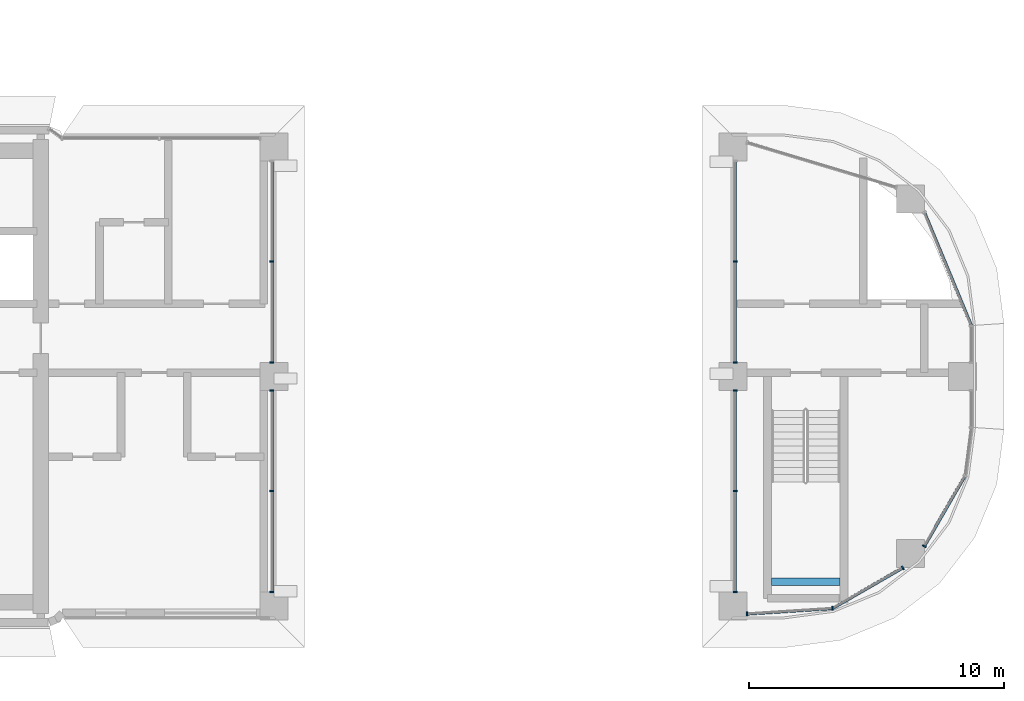
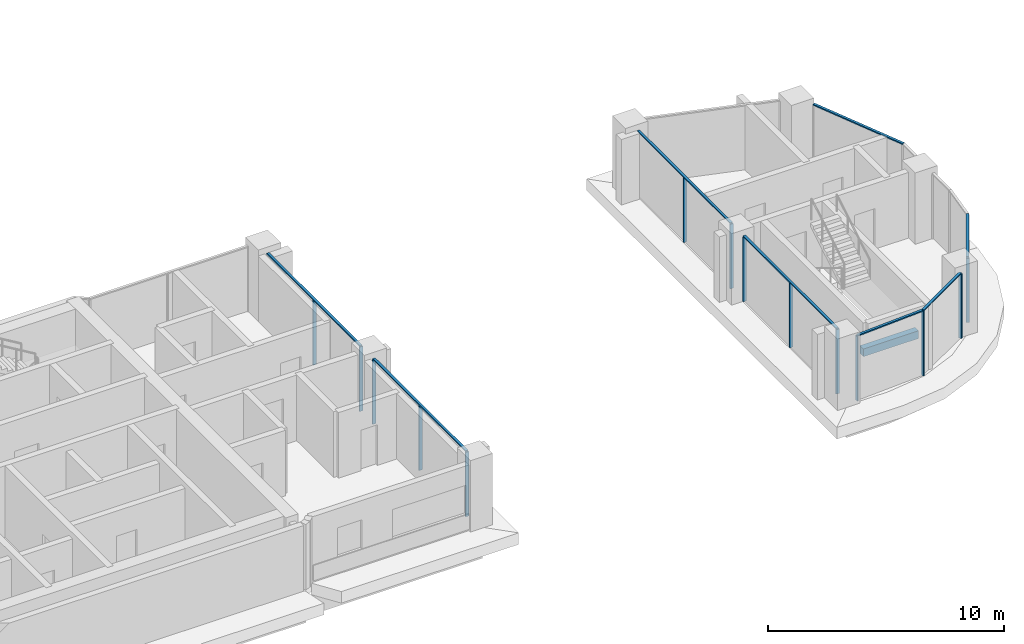
# One storey, part 3 of 24: 22 members, 1 beam, 7 elements without a shape of their own.
"""IFC4 building model written with IfcOpenShell, lengths in metres."""

import ifcopenshell
import ifcopenshell.guid

model = None  # the IFC model being written
_history = None  # IfcOwnerHistory: only IFC2X3 demands one
_inside = {}  # id of a spatial element -> (the spatial element, [elements in it])
_under = {}  # id of a project, library or spatial element -> (it, [spatial elements below it])
_declared = {}  # id of a project -> (the project, [libraries it declares])
_typed = {}  # id of a type object -> (the type object, [elements of that type])
_made_of = {}  # id of a material, layer set ... -> (it, [elements and type objects made of it])


def new_model(schema):
    """Start an empty IFC model of exactly this schema.

    Asked for "IFC4X3", IfcOpenShell would pick the latest addendum, in which some entities
    have other attributes; the version numbers below select the first issue.
    IFC2X3 requires an IfcOwnerHistory on every rooted entity: one is made here for all.
    """
    global model, _history
    if schema == "IFC4X3":
        model = ifcopenshell.file(schema_version=(4, 3, 0, 0))
    else:
        model = ifcopenshell.file(schema=schema)
    _inside.clear()
    _under.clear()
    _declared.clear()
    _typed.clear()
    _made_of.clear()
    _history = None
    if model.schema == "IFC2X3":
        org = make("IfcOrganization", Name="unknown")
        user = make(
            "IfcPersonAndOrganization",
            ThePerson=make("IfcPerson", FamilyName="unknown"),
            TheOrganization=org,
        )
        app = make(
            "IfcApplication",
            ApplicationDeveloper=org,
            Version="unknown",
            ApplicationFullName="unknown",
            ApplicationIdentifier="unknown",
        )
        _history = make(
            "IfcOwnerHistory",
            OwningUser=user,
            OwningApplication=app,
            ChangeAction="ADDED",
            CreationDate=0,
        )
    return model


def make(cls, **values):
    """One entity of the class cls with the attributes given. An attribute that is None is left unset."""
    return model.create_entity(
        cls, **{name: value for name, value in values.items() if value is not None}
    )


def rooted(cls, **values):
    """An entity with a GlobalId (a new one), such as an element, a storey or a relation."""
    return make(cls, GlobalId=ifcopenshell.guid.new(), OwnerHistory=_history, **values)


def si_unit(unit_type, name, prefix=None):
    """IfcSIUnit, for example si_unit("LENGTHUNIT", "METRE", prefix="MILLI")."""
    return make("IfcSIUnit", UnitType=unit_type, Prefix=prefix, Name=name)


def assignment(units):
    """IfcUnitAssignment: the units of a project."""
    return None if units is None else make("IfcUnitAssignment", Units=units)


def point(xyz):
    """IfcCartesianPoint."""
    return None if xyz is None else make("IfcCartesianPoint", Coordinates=xyz)


def direction(xyz):
    """IfcDirection."""
    return None if xyz is None else make("IfcDirection", DirectionRatios=xyz)


def frame(location, z_axis=None, x_axis=None):
    """IfcAxis2Placement3D, a coordinate frame: its origin and axes. An axis left out is left unset."""
    return make(
        "IfcAxis2Placement3D",
        Location=point(location),
        Axis=direction(z_axis),
        RefDirection=direction(x_axis),
    )


def frame_2d(location, x_axis=None):
    """IfcAxis2Placement2D, a coordinate frame in the plane: its origin and x axis."""
    return make(
        "IfcAxis2Placement2D", Location=point(location), RefDirection=direction(x_axis)
    )


def origin():
    """The frame at (0, 0, 0) with its axes left unset."""
    return frame((0.0, 0.0, 0.0))


def origin_2d():
    """The frame at (0, 0) in the plane with its x axis left unset."""
    return frame_2d((0.0, 0.0))


def place(relative_to, where):
    """IfcLocalPlacement: puts the frame where relative to a parent placement (None: the world)."""
    return make(
        "IfcLocalPlacement", PlacementRelTo=relative_to, RelativePlacement=where
    )


def context(
    kind, dimensions, precision=None, world=None, true_north=None, identifier=None
):
    """IfcGeometricRepresentationContext, for example the 3D "Model" context."""
    return make(
        "IfcGeometricRepresentationContext",
        ContextIdentifier=identifier,
        ContextType=kind,
        CoordinateSpaceDimension=dimensions,
        Precision=precision,
        WorldCoordinateSystem=world,
        TrueNorth=true_north,
    )


def subcontext(parent, identifier, kind, view, scale=None):
    """IfcGeometricRepresentationSubContext, for example "Body" below "Model"."""
    return make(
        "IfcGeometricRepresentationSubContext",
        ContextIdentifier=identifier,
        ContextType=kind,
        ParentContext=parent,
        TargetScale=scale,
        TargetView=view,
    )


def project(units=None, contexts=None):
    """IfcProject with its units and contexts."""
    return rooted(
        "IfcProject",
        Name="project",
        RepresentationContexts=contexts,
        UnitsInContext=assignment(units),
    )


def spatial(cls, under=None, at=None, **own):
    """A site, building, storey or space (cls), placed at a placement, below another one or the project."""
    s = rooted(cls, ObjectPlacement=at, **own)
    if under is not None:
        _under.setdefault(under.id(), (under, []))[1].append(s)
    return s


def profile(cls, at=None, kind="AREA", **sizes):
    """A parametric profile (cls). Its sizes go by their IFC names, for example OverallWidth=200.0."""
    return make(cls, ProfileType=kind, Position=at, **sizes)


def rectangle(**sizes):
    """IfcRectangleProfileDef."""
    return profile("IfcRectangleProfileDef", **sizes)


def extrude(swept, where, along, depth):
    """IfcExtrudedAreaSolid: the profile swept, set in the frame where, extruded along a direction by depth."""
    return make(
        "IfcExtrudedAreaSolid",
        SweptArea=swept,
        Position=where,
        ExtrudedDirection=direction(along),
        Depth=depth,
    )


def shape(context_of_items, identifier, shape_type, items):
    """IfcShapeRepresentation: the items that make up one representation, for example the "Body"."""
    return make(
        "IfcShapeRepresentation",
        ContextOfItems=context_of_items,
        RepresentationIdentifier=identifier,
        RepresentationType=shape_type,
        Items=items,
    )


def material(Name=None, Category=None):
    """IfcMaterial."""
    return make("IfcMaterial", Name=Name, Category=Category)


def material_profile(
    of_material, cross_section, Name=None, Category=None, Priority=None
):
    """IfcMaterialProfile: a cross section and its material."""
    return make(
        "IfcMaterialProfile",
        Name=Name,
        Material=of_material,
        Profile=cross_section,
        Priority=Priority,
        Category=Category,
    )


def profile_set(profiles, Name=None, composite=None):
    """IfcMaterialProfileSet."""
    return make(
        "IfcMaterialProfileSet",
        Name=Name,
        MaterialProfiles=profiles,
        CompositeProfile=composite,
    )


def made_of(thing, what):
    """Note that an element or type object is made of a material, layer set ...; save() writes the relation."""
    if what is not None:
        _made_of.setdefault(what.id(), (what, []))[1].append(thing)
    return thing


def type_object(cls, material=None, **own):
    """A type object (cls), such as IfcWallType, which elements share."""
    return made_of(rooted(cls, **own), material)


def element(
    cls,
    number,
    at=None,
    inside=None,
    cuts=None,
    type_object=None,
    material=None,
    context=None,
    identifier="Body",
    shape_type=None,
    held_by="IfcProductDefinitionShape",
    body=None,
    shapes=None,
    **own,
):
    """One element of the class cls, such as IfcWall. Its Tag is "e" and its number.

    at: its placement. inside: the storey or other place that contains it. cuts: it is an
    opening in that element (IfcRelVoidsElement). A single representation is given by context,
    identifier, shape_type and body (its items); several are given by shapes. held_by: the class
    of the entity that holds the representations. save() writes the other relations.
    """
    e = rooted(cls, Tag="e%d" % number, ObjectPlacement=at, **own)
    if body is not None:
        shapes = [shape(context, identifier, shape_type, body)]
    if shapes is not None:
        e.Representation = make(held_by, Representations=shapes)
    if inside is not None:
        _inside.setdefault(inside.id(), (inside, []))[1].append(e)
    if cuts is not None:
        rooted(
            "IfcRelVoidsElement", RelatingBuildingElement=cuts, RelatedOpeningElement=e
        )
    if type_object is not None:
        _typed.setdefault(type_object.id(), (type_object, []))[1].append(e)
    return made_of(e, material)


def aggregate(whole, parts):
    """IfcRelAggregates: a whole, such as a stair, and the parts it consists of."""
    return rooted("IfcRelAggregates", RelatingObject=whole, RelatedObjects=parts)


def save(model, path):
    """Write the relations noted so far, then the file.

    IfcRelAggregates (storeys below a building ...), IfcRelContainedInSpatialStructure (elements
    in a storey), IfcRelDefinesByType, IfcRelAssociatesMaterial and IfcRelDeclares: one each for
    every whole, place, type object, material and project.
    """
    for whole, parts in _under.values():
        aggregate(whole, parts)
    for where, things in _inside.values():
        rooted(
            "IfcRelContainedInSpatialStructure",
            RelatedElements=things,
            RelatingStructure=where,
        )
    for kind, things in _typed.values():
        rooted("IfcRelDefinesByType", RelatedObjects=things, RelatingType=kind)
    for what, things in _made_of.values():
        rooted("IfcRelAssociatesMaterial", RelatedObjects=things, RelatingMaterial=what)
    for by, libraries in _declared.values():
        rooted("IfcRelDeclares", RelatingContext=by, RelatedDefinitions=libraries)
    model.write(path)


model = new_model("IFC4")

# Units and contexts
model_context = context("Model", 3, precision=1e-05, world=origin(), true_north=direction((0.0, 1.0)))
body_context = subcontext(model_context, "Body", "Model", "MODEL_VIEW")
ifc_project = project(units=[si_unit("LENGTHUNIT", "METRE"), si_unit("AREAUNIT", "SQUARE_METRE"), si_unit("VOLUMEUNIT", "CUBIC_METRE"), si_unit("PLANEANGLEUNIT", "RADIAN"), si_unit("MASSUNIT", "GRAM", prefix="KILO")], contexts=[model_context])

# Site, building, storey
site_placement = place(None, origin())
site = spatial("IfcSite", under=ifc_project, at=site_placement, CompositionType="ELEMENT")
building_placement = place(site_placement, origin())
building = spatial("IfcBuilding", under=site, at=building_placement, Name="Ogive Portal Towers", CompositionType="ELEMENT")
storey_placement = place(building_placement, frame((0.0, 0.0, 153.300048828125)))
storey = spatial("IfcBuildingStorey", under=building, at=storey_placement, Name="L37", CompositionType="ELEMENT", Elevation=153.300048828125)

# Beam
ifc_material_1 = material(Name="Concrete C40/50", Category="concrete")
ifc_material_profile_1 = material_profile(ifc_material_1, rectangle(XDim=0.300048828125, YDim=0.39990234375, at=origin_2d()), Name="RC 300x400")
ifc_profile_set_1 = profile_set([ifc_material_profile_1], Name="Concrete C40/50")
beam_type = type_object("IfcBeamType", Name="BEAM RC 300x400", PredefinedType="BEAM", material=ifc_profile_set_1)
beam_placement = place(storey_placement, frame((87.0, 22.449951171875, 1.449951171875), z_axis=(1.0, 0.0, 0.0), x_axis=(0.0, 1.0, 0.0)))
element("IfcBeam", 1, at=beam_placement, inside=storey, type_object=beam_type, Name="Landing beam L37", PredefinedType="BEAM", context=body_context, shape_type="SweptSolid", body=[
    extrude(rectangle(XDim=0.300048828125, YDim=0.39990234375, at=origin_2d()), origin(), (0.0, 0.0, 1.0), 2.699951171875),
])

# Curtain wall, members
ifc_material_2 = material(Name="Glass, clear low-iron insulated glazing", Category="glass")
curtain_wall_type_1 = type_object("IfcCurtainWallType", Name="CW PORTAL REVEAL", PredefinedType="NOTDEFINED", material=ifc_material_2)
curtain_wall_1_placement = place(storey_placement, origin())
curtain_wall_1 = element("IfcCurtainWall", 2, at=curtain_wall_1_placement, inside=storey, type_object=curtain_wall_type_1, Name="A:L37:f22:cw0~0", PredefinedType="NOTDEFINED")
ifc_material_3 = material(Name="Aluminium 6063 anodised", Category="aluminium")
ifc_material_profile_2 = material_profile(ifc_material_3, rectangle(XDim=0.159912109375, YDim=0.06005859375, at=origin_2d()), Name="AL 60x160")
ifc_profile_set_2 = profile_set([ifc_material_profile_2], Name="Aluminium 6063 anodised")
member_type_1 = type_object("IfcMemberType", Name="CW MULLION 60x160", PredefinedType="MULLION", material=ifc_profile_set_2)
member_1_placement = place(storey_placement, frame((67.419921875, 22.050048828125, 0.0), z_axis=(0.0, 0.0, 1.0), x_axis=(-1.0, 0.0, 0.0)))
member_1 = element("IfcMember", 3, at=member_1_placement, type_object=member_type_1, Name="mullion", PredefinedType="MULLION", context=body_context, shape_type="SweptSolid", body=[
    extrude(rectangle(XDim=0.159912109375, YDim=0.06005859375, at=origin_2d()), origin(), (0.0, 0.0, 1.0), 3.33984375),
])
member_2_placement = place(storey_placement, frame((67.419921875, 26.0, 0.0), z_axis=(0.0, 0.0, 1.0), x_axis=(-1.0, 0.0, 0.0)))
member_2 = element("IfcMember", 4, at=member_2_placement, type_object=member_type_1, Name="mullion", PredefinedType="MULLION", context=body_context, shape_type="SweptSolid", body=[
    extrude(rectangle(XDim=0.159912109375, YDim=0.06005859375, at=origin_2d()), origin(), (0.0, 0.0, 1.0), 3.33984375),
])
member_3_placement = place(storey_placement, frame((67.419921875, 29.949951171875, 0.0), z_axis=(0.0, 0.0, 1.0), x_axis=(-1.0, 0.0, 0.0)))
member_3 = element("IfcMember", 5, at=member_3_placement, type_object=member_type_1, Name="mullion", PredefinedType="MULLION", context=body_context, shape_type="SweptSolid", body=[
    extrude(rectangle(XDim=0.159912109375, YDim=0.06005859375, at=origin_2d()), origin(), (0.0, 0.0, 1.0), 3.33984375),
])

curtain_wall_2_placement = place(storey_placement, origin())
curtain_wall_2 = element("IfcCurtainWall", 6, at=curtain_wall_2_placement, inside=storey, type_object=curtain_wall_type_1, Name="A:L37:f22:cw0~1", PredefinedType="NOTDEFINED")
member_4_placement = place(storey_placement, frame((67.419921875, 31.050048828125, 0.0), z_axis=(0.0, 0.0, 1.0), x_axis=(-1.0, 0.0, 0.0)))
member_4 = element("IfcMember", 7, at=member_4_placement, type_object=member_type_1, Name="mullion", PredefinedType="MULLION", context=body_context, shape_type="SweptSolid", body=[
    extrude(rectangle(XDim=0.159912109375, YDim=0.06005859375, at=origin_2d()), origin(), (0.0, 0.0, 1.0), 3.33984375),
])
member_5_placement = place(storey_placement, frame((67.419921875, 35.0, 0.0), z_axis=(0.0, 0.0, 1.0), x_axis=(-1.0, 0.0, 0.0)))
member_5 = element("IfcMember", 8, at=member_5_placement, type_object=member_type_1, Name="mullion", PredefinedType="MULLION", context=body_context, shape_type="SweptSolid", body=[
    extrude(rectangle(XDim=0.159912109375, YDim=0.06005859375, at=origin_2d()), origin(), (0.0, 0.0, 1.0), 3.33984375),
])

curtain_wall_3_placement = place(storey_placement, origin())
curtain_wall_3 = element("IfcCurtainWall", 9, at=curtain_wall_3_placement, inside=storey, type_object=curtain_wall_type_1, Name="A:L37:f24:cw0~0", PredefinedType="NOTDEFINED")
member_6_placement = place(storey_placement, frame((85.580078125, 35.0, 0.0), z_axis=(0.0, 0.0, 1.0), x_axis=(1.0, 0.0, 0.0)))
member_6 = element("IfcMember", 10, at=member_6_placement, type_object=member_type_1, Name="mullion", PredefinedType="MULLION", context=body_context, shape_type="SweptSolid", body=[
    extrude(rectangle(XDim=0.159912109375, YDim=0.06005859375, at=origin_2d()), origin(), (0.0, 0.0, 1.0), 3.33984375),
])
member_7_placement = place(storey_placement, frame((85.580078125, 31.050048828125, 0.0), z_axis=(0.0, 0.0, 1.0), x_axis=(1.0, 0.0, 0.0)))
member_7 = element("IfcMember", 11, at=member_7_placement, type_object=member_type_1, Name="mullion", PredefinedType="MULLION", context=body_context, shape_type="SweptSolid", body=[
    extrude(rectangle(XDim=0.159912109375, YDim=0.06005859375, at=origin_2d()), origin(), (0.0, 0.0, 1.0), 3.33984375),
])

curtain_wall_4_placement = place(storey_placement, origin())
curtain_wall_4 = element("IfcCurtainWall", 12, at=curtain_wall_4_placement, inside=storey, type_object=curtain_wall_type_1, Name="A:L37:f24:cw0~1", PredefinedType="NOTDEFINED")
member_8_placement = place(storey_placement, frame((85.580078125, 29.949951171875, 0.0), z_axis=(0.0, 0.0, 1.0), x_axis=(1.0, 0.0, 0.0)))
member_8 = element("IfcMember", 13, at=member_8_placement, type_object=member_type_1, Name="mullion", PredefinedType="MULLION", context=body_context, shape_type="SweptSolid", body=[
    extrude(rectangle(XDim=0.159912109375, YDim=0.06005859375, at=origin_2d()), origin(), (0.0, 0.0, 1.0), 3.33984375),
])
member_9_placement = place(storey_placement, frame((85.580078125, 26.0, 0.0), z_axis=(0.0, 0.0, 1.0), x_axis=(1.0, 0.0, 0.0)))
member_9 = element("IfcMember", 14, at=member_9_placement, type_object=member_type_1, Name="mullion", PredefinedType="MULLION", context=body_context, shape_type="SweptSolid", body=[
    extrude(rectangle(XDim=0.159912109375, YDim=0.06005859375, at=origin_2d()), origin(), (0.0, 0.0, 1.0), 3.33984375),
])
member_10_placement = place(storey_placement, frame((85.580078125, 22.050048828125, 0.0), z_axis=(0.0, 0.0, 1.0), x_axis=(1.0, 0.0, 0.0)))
member_10 = element("IfcMember", 15, at=member_10_placement, type_object=member_type_1, Name="mullion", PredefinedType="MULLION", context=body_context, shape_type="SweptSolid", body=[
    extrude(rectangle(XDim=0.159912109375, YDim=0.06005859375, at=origin_2d()), origin(), (0.0, 0.0, 1.0), 3.33984375),
])

curtain_wall_type_2 = type_object("IfcCurtainWallType", Name="CW FRONT RIBBON 4500", PredefinedType="NOTDEFINED", material=ifc_material_2)
curtain_wall_5_placement = place(storey_placement, origin())
curtain_wall_5 = element("IfcCurtainWall", 16, at=curtain_wall_5_placement, inside=storey, type_object=curtain_wall_type_2, Name="A:L37:f25:cwa~0", PredefinedType="NOTDEFINED")
member_11_placement = place(storey_placement, frame((86.050048828125, 21.190673828125, 0.0), z_axis=(0.0, 0.0, 1.0), x_axis=(-0.064378682198, 0.997925540949, 0.0)))
member_11 = element("IfcMember", 17, at=member_11_placement, type_object=member_type_1, Name="mullion", PredefinedType="MULLION", context=body_context, shape_type="SweptSolid", body=[
    extrude(rectangle(XDim=0.159912109375, YDim=0.06005859375, at=origin_2d()), origin(), (0.0, 0.0, 1.0), 3.33984375),
])
member_12_placement = place(storey_placement, frame((89.39794921875, 21.40673828125, 0.0), z_axis=(0.0, 0.0, 1.0), x_axis=(-0.064378682198, 0.997925540949, 0.0)))
member_12 = element("IfcMember", 18, at=member_12_placement, type_object=member_type_1, Name="mullion", PredefinedType="MULLION", context=body_context, shape_type="SweptSolid", body=[
    extrude(rectangle(XDim=0.159912109375, YDim=0.06005859375, at=origin_2d()), origin(), (0.0, 0.0, 1.0), 3.33984375),
])
member_13_placement = place(storey_placement, frame((92.15771484375, 23.0, 0.0), z_axis=(0.0, 0.0, 1.0), x_axis=(-0.5, 0.866025403784, 0.0)))
member_13 = element("IfcMember", 19, at=member_13_placement, type_object=member_type_1, Name="mullion", PredefinedType="MULLION", context=body_context, shape_type="SweptSolid", body=[
    extrude(rectangle(XDim=0.159912109375, YDim=0.06005859375, at=origin_2d()), origin(), (0.0, 0.0, 1.0), 3.33984375),
])

# Curtain wall, member
curtain_wall_6_placement = place(storey_placement, origin())
curtain_wall_6 = element("IfcCurtainWall", 20, at=curtain_wall_6_placement, inside=storey, type_object=curtain_wall_type_2, Name="A:L37:f25:cwa~1", PredefinedType="NOTDEFINED")
member_14_placement = place(storey_placement, frame((93.0, 23.84228515625, 0.0), z_axis=(0.0, 0.0, 1.0), x_axis=(-0.866025403784, 0.5, 0.0)))
member_14 = element("IfcMember", 21, at=member_14_placement, type_object=member_type_1, Name="mullion", PredefinedType="MULLION", context=body_context, shape_type="SweptSolid", body=[
    extrude(rectangle(XDim=0.159912109375, YDim=0.06005859375, at=origin_2d()), origin(), (0.0, 0.0, 1.0), 3.33984375),
])

# Member
ifc_material_profile_3 = material_profile(ifc_material_3, rectangle(XDim=0.1201171875, YDim=0.06005859375, at=origin_2d()), Name="AL 120x60")
ifc_profile_set_3 = profile_set([ifc_material_profile_3], Name="Aluminium 6063 anodised")
member_type_2 = type_object("IfcMemberType", Name="CW TRANSOM 60x120", PredefinedType="USERDEFINED", material=ifc_profile_set_3)
member_15_placement = place(storey_placement, frame((67.419921875, 22.050048828125, 3.369873046875), z_axis=(0.0, 1.0, 0.0), x_axis=(-1.0, 0.0, 0.0)))
member_15 = element("IfcMember", 22, at=member_15_placement, type_object=member_type_2, Name="transom", ObjectType="TRANSOM", PredefinedType="USERDEFINED", context=body_context, shape_type="SweptSolid", body=[
    extrude(rectangle(XDim=0.1201171875, YDim=0.06005859375, at=origin_2d()), origin(), (0.0, 0.0, 1.0), 7.89990234375),
])

aggregate(curtain_wall_1, [member_15, member_1, member_2, member_3])

member_16_placement = place(storey_placement, frame((67.419921875, 31.050048828125, 3.369873046875), z_axis=(0.0, 1.0, 0.0), x_axis=(-1.0, 0.0, 0.0)))
member_16 = element("IfcMember", 23, at=member_16_placement, type_object=member_type_2, Name="transom", ObjectType="TRANSOM", PredefinedType="USERDEFINED", context=body_context, shape_type="SweptSolid", body=[
    extrude(rectangle(XDim=0.1201171875, YDim=0.06005859375, at=origin_2d()), origin(), (0.0, 0.0, 1.0), 7.89990234375),
])

aggregate(curtain_wall_2, [member_16, member_4, member_5])

member_17_placement = place(storey_placement, frame((85.580078125, 38.949951171875, 3.369873046875), z_axis=(0.0, -1.0, 0.0), x_axis=(1.0, 0.0, 0.0)))
member_17 = element("IfcMember", 24, at=member_17_placement, type_object=member_type_2, Name="transom", ObjectType="TRANSOM", PredefinedType="USERDEFINED", context=body_context, shape_type="SweptSolid", body=[
    extrude(rectangle(XDim=0.1201171875, YDim=0.06005859375, at=origin_2d()), origin(), (0.0, 0.0, 1.0), 7.89990234375),
])

aggregate(curtain_wall_3, [member_17, member_6, member_7])

member_18_placement = place(storey_placement, frame((85.580078125, 29.949951171875, 3.369873046875), z_axis=(0.0, -1.0, 0.0), x_axis=(1.0, 0.0, 0.0)))
member_18 = element("IfcMember", 25, at=member_18_placement, type_object=member_type_2, Name="transom", ObjectType="TRANSOM", PredefinedType="USERDEFINED", context=body_context, shape_type="SweptSolid", body=[
    extrude(rectangle(XDim=0.1201171875, YDim=0.06005859375, at=origin_2d()), origin(), (0.0, 0.0, 1.0), 7.89990234375),
])

aggregate(curtain_wall_4, [member_18, member_8, member_9, member_10])

member_19_placement = place(storey_placement, frame((86.050048828125, 21.190673828125, 3.369873046875), z_axis=(0.997923951339, 0.064403317796, 0.0), x_axis=(-0.064403317796, 0.997923951339, 0.0)))
member_19 = element("IfcMember", 26, at=member_19_placement, type_object=member_type_2, Name="transom", ObjectType="TRANSOM", PredefinedType="USERDEFINED", context=body_context, shape_type="SweptSolid", body=[
    extrude(rectangle(XDim=0.1201171875, YDim=0.06005859375, at=origin_2d()), origin(), (0.0, 0.0, 1.0), 3.35498046875),
])

member_20_placement = place(storey_placement, frame((89.39794921875, 21.40673828125, 3.369873046875), z_axis=(0.866037593286, 0.49997888657, 0.0), x_axis=(-0.49997888657, 0.866037593286, 0.0)))
member_20 = element("IfcMember", 27, at=member_20_placement, type_object=member_type_2, Name="transom", ObjectType="TRANSOM", PredefinedType="USERDEFINED", context=body_context, shape_type="SweptSolid", body=[
    extrude(rectangle(XDim=0.1201171875, YDim=0.06005859375, at=origin_2d()), origin(), (0.0, 0.0, 1.0), 3.186767578125),
])

aggregate(curtain_wall_5, [member_19, member_20, member_11, member_12, member_13])

member_21_placement = place(storey_placement, frame((93.0, 23.84228515625, 3.369873046875), z_axis=(0.499991908467, 0.866030075383, 0.0), x_axis=(-0.866030075383, 0.499991908467, 0.0)))
member_21 = element("IfcMember", 28, at=member_21_placement, type_object=member_type_2, Name="transom", ObjectType="TRANSOM", PredefinedType="USERDEFINED", context=body_context, shape_type="SweptSolid", body=[
    extrude(rectangle(XDim=0.1201171875, YDim=0.06005859375, at=origin_2d()), origin(), (0.0, 0.0, 1.0), 3.189453125),
])

aggregate(curtain_wall_6, [member_21, member_14])

# Curtain wall, member
curtain_wall_7_placement = place(storey_placement, origin())
curtain_wall_7 = element("IfcCurtainWall", 29, at=curtain_wall_7_placement, inside=storey, type_object=curtain_wall_type_2, Name="A:L37:f30:cwa~0", PredefinedType="NOTDEFINED")
member_22_placement = place(storey_placement, frame((94.844970703125, 32.484130859375, 3.369873046875), z_axis=(-0.382687226051, 0.923877961106, 0.0), x_axis=(-0.923877961106, -0.382687226051, 0.0)))
member_22 = element("IfcMember", 30, at=member_22_placement, type_object=member_type_2, Name="transom", ObjectType="TRANSOM", PredefinedType="USERDEFINED", context=body_context, shape_type="SweptSolid", body=[
    extrude(rectangle(XDim=0.1201171875, YDim=0.06005859375, at=origin_2d()), origin(), (0.0, 0.0, 1.0), 4.821044921875),
])
aggregate(curtain_wall_7, [member_22])

save(model, "model.ifc")
